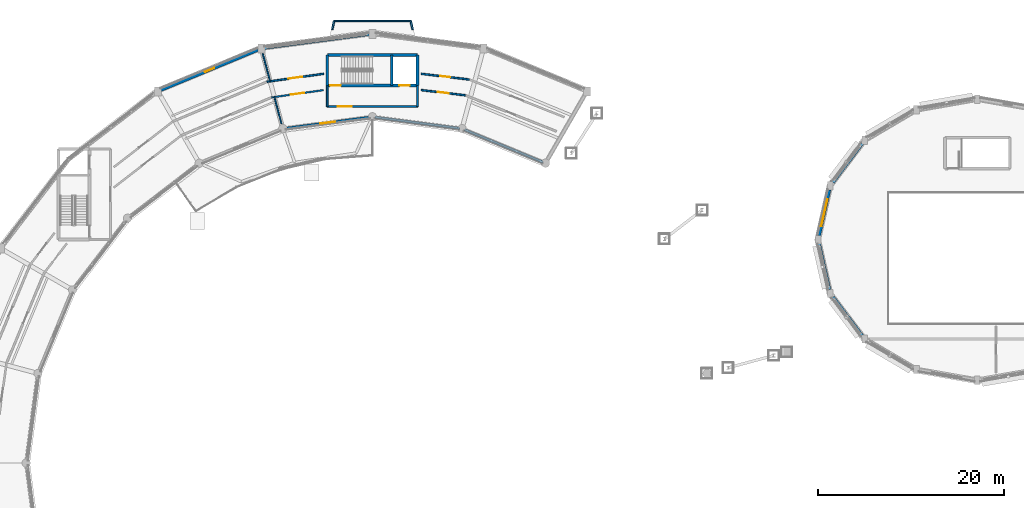
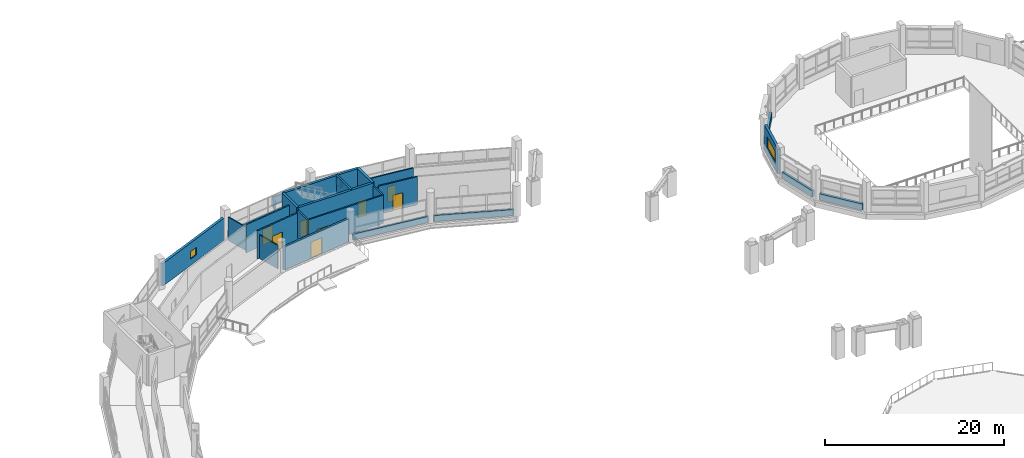
# One storey, part 112 of 128: 26 walls, 8 doors, 2 windows, 10 openings.
"""IFC4 building model written with IfcOpenShell, lengths in metres."""

from ifc_helpers import new_model, si_unit, direction, frame, frame_2d, origin, place, context, subcontext, project, spatial, rectangle, extrude, material, layer, layer_set, type_object, element, fill, save


model = new_model("IFC4")

# Units and contexts
model_context = context("Model", 3, precision=1e-05, world=origin(), true_north=direction((0.0, 1.0)))
body_context = subcontext(model_context, "Body", "Model", "MODEL_VIEW")
ifc_project = project(units=[si_unit("LENGTHUNIT", "METRE"), si_unit("AREAUNIT", "SQUARE_METRE"), si_unit("VOLUMEUNIT", "CUBIC_METRE"), si_unit("PLANEANGLEUNIT", "RADIAN"), si_unit("MASSUNIT", "GRAM", prefix="KILO")], contexts=[model_context])

# Site, building, storey
site_placement = place(None, origin())
site = spatial("IfcSite", under=ifc_project, at=site_placement, CompositionType="ELEMENT")
building_placement = place(site_placement, origin())
building = spatial("IfcBuilding", under=site, at=building_placement, Name="Vespera Passage Community Centre", CompositionType="ELEMENT")
storey_placement = place(building_placement, frame((0.0, 0.0, 4.5)))
storey = spatial("IfcBuildingStorey", under=building, at=storey_placement, Name="L01", CompositionType="ELEMENT", Elevation=4.5)

# Wall, openings, doors
ifc_material_1 = material(Name="Concrete f'c 45 MPa", Category="concrete")
ifc_layer_1 = layer(ifc_material_1, 0.300048828125)
ifc_layer_set_1 = layer_set([ifc_layer_1], Name="Concrete f'c 45 MPa")
wall_type_1 = type_object("IfcWallType", Name="WT-CORE-300I", PredefinedType="SHEAR", material=ifc_layer_set_1)
wall_1_placement = place(storey_placement, frame((82.844970703125, 106.050048828125, 0.0), z_axis=(0.0, 0.0, 1.0), x_axis=(-1.0, 0.0, 0.0)))
wall_1 = element("IfcWall", 1, at=wall_1_placement, inside=storey, type_object=wall_type_1, Name="Core C4 L01 Shear Wall FRONT", PredefinedType="SHEAR", context=body_context, shape_type="SweptSolid", body=[
    extrude(rectangle(XDim=9.68994140625, YDim=0.300048828125, at=frame_2d((4.844970703125, 0.0))), origin(), (0.0, 0.0, 1.0), 4.199951171875),
])
opening_1_placement = place(wall_1_placement, frame((8.2451171875, 0.0, 0.0)))
opening_1 = element("IfcOpeningElement", 2, at=opening_1_placement, cuts=wall_1, Name="Opening DT-STAIR-90", PredefinedType="OPENING", context=body_context, shape_type="SweptSolid", body=[
    extrude(rectangle(XDim=1.14990234375, YDim=2.14990234375, at=frame_2d((0.574951171875, 1.074951171875))), frame((0.0, 0.159912109375, 0.0), z_axis=(0.0, -1.0, 0.0), x_axis=(1.0, 0.0, 0.0)), (0.0, 0.0, 1.0), 0.320068359375),
])
opening_2_placement = place(wall_1_placement, frame((0.85009765625, 0.0, 0.0)))
opening_2 = element("IfcOpeningElement", 3, at=opening_2_placement, cuts=wall_1, Name="Opening DT-LIFT-110", PredefinedType="OPENING", context=body_context, shape_type="SweptSolid", body=[
    extrude(rectangle(XDim=1.10009765625, YDim=2.14990234375, at=frame_2d((0.550048828125, 1.074951171875))), frame((0.0, 0.159912109375, 0.0), z_axis=(0.0, -1.0, 0.0), x_axis=(1.0, 0.0, 0.0)), (0.0, 0.0, 1.0), 0.320068359375),
])
ifc_material_2 = material(Name="Painted hollow-metal acoustic door", Category="steel")
door_type_1 = type_object("IfcDoorType", Name="DT-LIFT-110", OperationType="NOTDEFINED", PredefinedType="DOOR", material=ifc_material_2)
door_1_placement = place(opening_2_placement, origin())
door_1 = element("IfcDoor", 4, at=door_1_placement, inside=storey, type_object=door_type_1, Name="Elevator EL-02 L01 Landing Door LD-018", OperationType="SLIDING_TO_LEFT", OverallHeight=2.14990234375, OverallWidth=1.10009765625, PredefinedType="DOOR", context=body_context, shape_type="SweptSolid", body=[
    extrude(rectangle(XDim=1.10009765625, YDim=2.14990234375, at=frame_2d((0.550048828125, 1.074951171875))), frame((0.0, 0.02490234375, 0.0), z_axis=(0.0, -1.0, 0.0), x_axis=(1.0, 0.0, 0.0)), (0.0, 0.0, 1.0), 0.050048828125),
])
fill(opening_2, door_1)
ifc_material_3 = material(Name="Painted hollow-metal acoustic door", Category="steel")
door_type_2 = type_object("IfcDoorType", Name="DT-STAIR-90", OperationType="NOTDEFINED", PredefinedType="DOOR", material=ifc_material_3)
door_2_placement = place(opening_1_placement, origin())
door_2 = element("IfcDoor", 5, at=door_2_placement, inside=storey, type_object=door_type_2, Name="Core C4 L01 Exit Stair Door D-090", OperationType="SINGLE_SWING_RIGHT", OverallHeight=2.14990234375, OverallWidth=1.14990234375, PredefinedType="DOOR", context=body_context, shape_type="SweptSolid", body=[
    extrude(rectangle(XDim=1.14990234375, YDim=2.14990234375, at=frame_2d((0.574951171875, 1.074951171875))), frame((0.0, 0.02490234375, 0.0), z_axis=(0.0, -1.0, 0.0), x_axis=(1.0, 0.0, 0.0)), (0.0, 0.0, 1.0), 0.050048828125),
])
fill(opening_1, door_2)

# Walls
wall_2_placement = place(storey_placement, frame((73.155029296875, 106.050048828125, 0.0), z_axis=(0.0, 0.0, 1.0), x_axis=(0.0, 1.0, 0.0)))
element("IfcWall", 6, at=wall_2_placement, inside=storey, type_object=wall_type_1, Name="Core C4 L01 Shear Wall LEFT", PredefinedType="SHEAR", context=body_context, shape_type="SweptSolid", body=[
    extrude(rectangle(XDim=3.300048828125, YDim=0.300048828125, at=frame_2d((1.64990234375, 0.0))), origin(), (0.0, 0.0, 1.0), 4.199951171875),
])
wall_3_placement = place(storey_placement, frame((73.155029296875, 109.35009765625, 0.0), z_axis=(0.0, 0.0, 1.0), x_axis=(1.0, 0.0, 0.0)))
element("IfcWall", 7, at=wall_3_placement, inside=storey, type_object=wall_type_1, Name="Core C4 L01 Shear Wall BACK", PredefinedType="SHEAR", context=body_context, shape_type="SweptSolid", body=[
    extrude(rectangle(XDim=9.68994140625, YDim=0.300048828125, at=frame_2d((4.844970703125, 0.0))), origin(), (0.0, 0.0, 1.0), 4.199951171875),
])
wall_4_placement = place(storey_placement, frame((82.844970703125, 109.35009765625, 0.0), z_axis=(0.0, 0.0, 1.0), x_axis=(0.0, -1.0, 0.0)))
element("IfcWall", 8, at=wall_4_placement, inside=storey, type_object=wall_type_1, Name="Core C4 L01 Shear Wall RIGHT", PredefinedType="SHEAR", context=body_context, shape_type="SweptSolid", body=[
    extrude(rectangle(XDim=3.300048828125, YDim=0.300048828125, at=frame_2d((1.64990234375, 0.0))), origin(), (0.0, 0.0, 1.0), 4.199951171875),
])

# Wall, opening, door
ifc_material_4 = material(Name="Gypsum board acoustic stud partition")
ifc_layer_2 = layer(ifc_material_4, 0.179931640625)
ifc_layer_set_2 = layer_set([ifc_layer_2], Name="Gypsum board acoustic stud partition")
wall_type_2 = type_object("IfcWallType", Name="WT-CORR-180I", PredefinedType="PARTITIONING", material=ifc_layer_set_2)
wall_5_placement = place(storey_placement, frame((73.155029296875, 103.800048828125, 0.0), z_axis=(0.0, 0.0, 1.0), x_axis=(1.0, 0.0, 0.0)))
wall_5 = element("IfcWall", 9, at=wall_5_placement, inside=storey, type_object=wall_type_2, Name="Core C4 L01 Lift Lobby Front Wall", PredefinedType="PARTITIONING", context=body_context, shape_type="SweptSolid", body=[
    extrude(rectangle(XDim=9.68994140625, YDim=0.179931640625, at=frame_2d((4.844970703125, 0.0))), origin(), (0.0, 0.0, 1.0), 3.85498046875),
])
opening_3_placement = place(wall_5_placement, frame((1.10009765625, 0.0, 0.0)))
opening_3 = element("IfcOpeningElement", 10, at=opening_3_placement, cuts=wall_5, Name="Opening DT-CORR-150", PredefinedType="OPENING", context=body_context, shape_type="SweptSolid", body=[
    extrude(rectangle(XDim=1.5, YDim=2.14990234375, at=frame_2d((0.75, 1.074951171875))), frame((0.0, 0.099853515625, 0.0), z_axis=(0.0, -1.0, 0.0), x_axis=(1.0, 0.0, 0.0)), (0.0, 0.0, 1.0), 0.199951171875),
])
ifc_material_5 = material(Name="Painted hollow-metal acoustic door", Category="steel")
door_type_3 = type_object("IfcDoorType", Name="DT-CORR-150", OperationType="NOTDEFINED", PredefinedType="DOOR", material=ifc_material_5)
door_3_placement = place(opening_3_placement, origin())
door_3 = element("IfcDoor", 11, at=door_3_placement, inside=storey, type_object=door_type_3, Name="Core C4 L01 Lift Lobby Door D-091", OperationType="SINGLE_SWING_LEFT", OverallHeight=2.14990234375, OverallWidth=1.5, PredefinedType="DOOR", context=body_context, shape_type="SweptSolid", body=[
    extrude(rectangle(XDim=1.5, YDim=2.14990234375, at=frame_2d((0.75, 1.074951171875))), frame((0.0, 0.02490234375, 0.0), z_axis=(0.0, -1.0, 0.0), x_axis=(1.0, 0.0, 0.0)), (0.0, 0.0, 1.0), 0.050048828125),
])
fill(opening_3, door_3)

# Walls
for number, where, z_axis, x_axis, name in (
    (12, (73.155029296875, 106.050048828125, 0.0), (0.0, 0.0, 1.0), (0.0, -1.0, 0.0), "Core C4 L01 Lift Lobby Side Wall L"),
    (13, (82.844970703125, 106.050048828125, 0.0), (0.0, 0.0, 1.0), (0.0, -1.0, 0.0), "Core C4 L01 Lift Lobby Side Wall R"),
):
    element("IfcWall", number, at=place(storey_placement, frame(where, z_axis=z_axis, x_axis=x_axis)), inside=storey, type_object=wall_type_2, Name=name, PredefinedType="PARTITIONING", context=body_context, shape_type="SweptSolid", body=[
        extrude(rectangle(XDim=2.25, YDim=0.179931640625, at=frame_2d((1.125, 0.0))), origin(), (0.0, 0.0, 1.0), 3.85498046875),
    ])

# Wall, opening, door
wall_6_placement = place(storey_placement, frame((88.41259765625, 106.70458984375, 0.0), z_axis=(0.0, 0.0, 1.0), x_axis=(-0.993019970185, 0.117946338706, 0.0)))
wall_6 = element("IfcWall", 14, at=wall_6_placement, inside=storey, type_object=wall_type_2, Name="L01 Interior Partition V4-L01-CO02.1", PredefinedType="PARTITIONING", context=body_context, shape_type="SweptSolid", body=[
    extrude(rectangle(XDim=5.203857421875, YDim=0.179931640625, at=frame_2d((2.60205078125, 0.0))), origin(), (0.0, 0.0, 1.0), 3.85498046875),
])
opening_4_placement = place(wall_6_placement, frame((2.076904296875, 0.0, 0.0)))
opening_4 = element("IfcOpeningElement", 15, at=opening_4_placement, cuts=wall_6, Name="Opening DT-CORR-105", PredefinedType="OPENING", context=body_context, shape_type="SweptSolid", body=[
    extrude(rectangle(XDim=1.050048828125, YDim=2.10009765625, at=frame_2d((0.52490234375, 1.050048828125))), frame((0.0, 0.099853515625, 0.0), z_axis=(0.0, -1.0, 0.0), x_axis=(1.0, 0.0, 0.0)), (0.0, 0.0, 1.0), 0.199951171875),
])
ifc_material_6 = material(Name="Painted hollow-metal acoustic door", Category="steel")
door_type_4 = type_object("IfcDoorType", Name="DT-CORR-105", OperationType="NOTDEFINED", PredefinedType="DOOR", material=ifc_material_6)
door_4_placement = place(opening_4_placement, origin())
door_4 = element("IfcDoor", 16, at=door_4_placement, inside=storey, type_object=door_type_4, Name="L01 Interior Door D-164", OperationType="SINGLE_SWING_RIGHT", OverallHeight=2.10009765625, OverallWidth=1.050048828125, PredefinedType="DOOR", context=body_context, shape_type="SweptSolid", body=[
    extrude(rectangle(XDim=1.050048828125, YDim=2.10009765625, at=frame_2d((0.52490234375, 1.050048828125))), frame((0.0, 0.02490234375, 0.0), z_axis=(0.0, -1.0, 0.0), x_axis=(1.0, 0.0, 0.0)), (0.0, 0.0, 1.0), 0.050048828125),
])
fill(opening_4, door_4)

wall_7_placement = place(storey_placement, frame((87.983642578125, 105.008056640625, 0.0), z_axis=(0.0, 0.0, 1.0), x_axis=(-0.993021837472, 0.117930616486, 0.0)))
wall_7 = element("IfcWall", 17, at=wall_7_placement, inside=storey, type_object=wall_type_2, Name="L01 Interior Partition V4-L01-CI02.1", PredefinedType="PARTITIONING", context=body_context, shape_type="SweptSolid", body=[
    extrude(rectangle(XDim=4.771728515625, YDim=0.179931640625, at=frame_2d((2.3857421875, 0.0))), origin(), (0.0, 0.0, 1.0), 3.85498046875),
])
opening_5_placement = place(wall_7_placement, frame((1.785888671875, 0.0, 0.0)))
opening_5 = element("IfcOpeningElement", 18, at=opening_5_placement, cuts=wall_7, Name="Opening DT-CORR-120", PredefinedType="OPENING", context=body_context, shape_type="SweptSolid", body=[
    extrude(rectangle(XDim=1.199951171875, YDim=2.14990234375, at=frame_2d((0.60009765625, 1.074951171875))), frame((0.0, 0.099853515625, 0.0), z_axis=(0.0, -1.0, 0.0), x_axis=(1.0, 0.0, 0.0)), (0.0, 0.0, 1.0), 0.199951171875),
])
ifc_material_7 = material(Name="Painted hollow-metal acoustic door", Category="steel")
door_type_5 = type_object("IfcDoorType", Name="DT-CORR-120", OperationType="NOTDEFINED", PredefinedType="DOOR", material=ifc_material_7)
door_5_placement = place(opening_5_placement, origin())
door_5 = element("IfcDoor", 19, at=door_5_placement, inside=storey, type_object=door_type_5, Name="L01 Interior Door D-165", OperationType="SINGLE_SWING_LEFT", OverallHeight=2.14990234375, OverallWidth=1.199951171875, PredefinedType="DOOR", context=body_context, shape_type="SweptSolid", body=[
    extrude(rectangle(XDim=1.199951171875, YDim=2.14990234375, at=frame_2d((0.60009765625, 1.074951171875))), frame((0.0, 0.02490234375, 0.0), z_axis=(0.0, -1.0, 0.0), x_axis=(1.0, 0.0, 0.0)), (0.0, 0.0, 1.0), 0.050048828125),
])
fill(opening_5, door_5)

wall_8_placement = place(storey_placement, frame((72.7548828125, 107.32275390625, 0.0), z_axis=(0.0, 0.0, 1.0), x_axis=(-0.990158330555, -0.139951707499, 0.0)))
wall_8 = element("IfcWall", 20, at=wall_8_placement, inside=storey, type_object=wall_type_2, Name="L01 Interior Partition V4-L01-CO03.1", PredefinedType="PARTITIONING", context=body_context, shape_type="SweptSolid", body=[
    extrude(rectangle(XDim=6.140625, YDim=0.179931640625, at=frame_2d((3.0703125, 0.0))), origin(), (0.0, 0.0, 1.0), 3.85498046875),
])
opening_6_placement = place(wall_8_placement, frame((2.3203125, 0.0, 0.0)))
opening_6 = element("IfcOpeningElement", 21, at=opening_6_placement, cuts=wall_8, Name="Opening DT-CORR-150", PredefinedType="OPENING", context=body_context, shape_type="SweptSolid", body=[
    extrude(rectangle(XDim=1.5, YDim=2.14990234375, at=frame_2d((0.75, 1.074951171875))), frame((0.0, 0.099853515625, 0.0), z_axis=(0.0, -1.0, 0.0), x_axis=(1.0, 0.0, 0.0)), (0.0, 0.0, 1.0), 0.199951171875),
])
door_6_placement = place(opening_6_placement, origin())
door_6 = element("IfcDoor", 22, at=door_6_placement, inside=storey, type_object=door_type_3, Name="L01 Interior Door D-166", OperationType="SINGLE_SWING_RIGHT", OverallHeight=2.14990234375, OverallWidth=1.5, PredefinedType="DOOR", context=body_context, shape_type="SweptSolid", body=[
    extrude(rectangle(XDim=1.5, YDim=2.14990234375, at=frame_2d((0.75, 1.074951171875))), frame((0.0, 0.02490234375, 0.0), z_axis=(0.0, -1.0, 0.0), x_axis=(1.0, 0.0, 0.0)), (0.0, 0.0, 1.0), 0.050048828125),
])
fill(opening_6, door_6)

wall_9_placement = place(storey_placement, frame((72.7548828125, 105.570068359375, 0.0), z_axis=(0.0, 0.0, 1.0), x_axis=(-0.990158541411, -0.13995021569, 0.0)))
wall_9 = element("IfcWall", 23, at=wall_9_placement, inside=storey, type_object=wall_type_2, Name="L01 Interior Partition V4-L01-CI03.1", PredefinedType="PARTITIONING", context=body_context, shape_type="SweptSolid", body=[
    extrude(rectangle(XDim=5.669677734375, YDim=0.179931640625, at=frame_2d((2.8349609375, 0.0))), origin(), (0.0, 0.0, 1.0), 3.85498046875),
])
opening_7_placement = place(wall_9_placement, frame((2.10986328125, 0.0, 0.0)))
opening_7 = element("IfcOpeningElement", 24, at=opening_7_placement, cuts=wall_9, Name="Opening DT-PLANT-145", PredefinedType="OPENING", context=body_context, shape_type="SweptSolid", body=[
    extrude(rectangle(XDim=1.449951171875, YDim=2.199951171875, at=frame_2d((0.72509765625, 1.10009765625))), frame((0.0, 0.099853515625, 0.0), z_axis=(0.0, -1.0, 0.0), x_axis=(1.0, 0.0, 0.0)), (0.0, 0.0, 1.0), 0.199951171875),
])
ifc_material_8 = material(Name="Painted hollow-metal acoustic door", Category="steel")
door_type_6 = type_object("IfcDoorType", Name="DT-PLANT-145", OperationType="NOTDEFINED", PredefinedType="DOOR", material=ifc_material_8)
door_7_placement = place(opening_7_placement, origin())
door_7 = element("IfcDoor", 25, at=door_7_placement, inside=storey, type_object=door_type_6, Name="L01 Interior Door D-167", OperationType="SINGLE_SWING_LEFT", OverallHeight=2.199951171875, OverallWidth=1.449951171875, PredefinedType="DOOR", context=body_context, shape_type="SweptSolid", body=[
    extrude(rectangle(XDim=1.449951171875, YDim=2.199951171875, at=frame_2d((0.72509765625, 1.10009765625))), frame((0.0, 0.02490234375, 0.0), z_axis=(0.0, -1.0, 0.0), x_axis=(1.0, 0.0, 0.0)), (0.0, 0.0, 1.0), 0.050048828125),
])
fill(opening_7, door_7)

# Walls
ifc_material_9 = material(Name="Concrete f'c 45 MPa", Category="concrete")
ifc_layer_3 = layer(ifc_material_9, 0.239990234375)
ifc_layer_set_3 = layer_set([ifc_layer_3], Name="Concrete f'c 45 MPa")
wall_type_3 = type_object("IfcWallType", Name="WT-DIV-240I", PredefinedType="SHEAR", material=ifc_layer_set_3)
wall_10_placement = place(storey_placement, frame((80.074951171875, 106.050048828125, 0.0), z_axis=(0.0, 0.0, 1.0), x_axis=(0.0, 1.0, 0.0)))
element("IfcWall", 26, at=wall_10_placement, inside=storey, type_object=wall_type_3, Name="Core C4 L01 Hoistway Divider Wall", PredefinedType="SHEAR", context=body_context, shape_type="SweptSolid", body=[
    extrude(rectangle(XDim=3.300048828125, YDim=0.239990234375, at=frame_2d((1.64990234375, 0.0))), origin(), (0.0, 0.0, 1.0), 4.199951171875),
])
ifc_material_10 = material(Name="Precast concrete f'c 40 MPa", Category="concrete")
ifc_layer_4 = layer(ifc_material_10, 0.25)
ifc_layer_set_4 = layer_set([ifc_layer_4], Name="Precast concrete f'c 40 MPa")
wall_type_4 = type_object("IfcWallType", Name="WT-EXT-250E", PredefinedType="STANDARD", material=ifc_layer_set_4)
wall_11_placement = place(storey_placement, frame((96.322998046875, 97.830810546875, 0.0), z_axis=(0.0, 0.0, 1.0), x_axis=(-0.923880324771, 0.382681519675, 0.0)))
element("IfcWall", 27, at=wall_11_placement, inside=storey, type_object=wall_type_4, Name="V4 L01 Court Spandrel Wall I4", PredefinedType="STANDARD", context=body_context, shape_type="SweptSolid", body=[
    extrude(rectangle(XDim=9.111572265625, YDim=0.25, at=frame_2d((4.5556640625, 0.0))), origin(), (0.0, 0.0, 1.0), 0.820068359375),
])
wall_12_placement = place(storey_placement, frame((87.352783203125, 101.468505859375, 0.0), z_axis=(0.0, 0.0, 1.0), x_axis=(-0.991441766434, 0.130549698469, 0.0)))
element("IfcWall", 28, at=wall_12_placement, inside=storey, type_object=wall_type_4, Name="V4 L01 Court Spandrel Wall I5", PredefinedType="STANDARD", context=body_context, shape_type="SweptSolid", body=[
    extrude(rectangle(XDim=9.156005859375, YDim=0.25, at=frame_2d((4.578125, 0.0))), origin(), (0.0, 0.0, 1.0), 0.820068359375),
])

# Wall, opening, door
wall_13_placement = place(storey_placement, frame((77.724853515625, 102.663818359375, 0.0), z_axis=(0.0, 0.0, 1.0), x_axis=(-0.991441766434, -0.130549698469, 0.0)))
wall_13 = element("IfcWall", 29, at=wall_13_placement, inside=storey, type_object=wall_type_4, Name="V4 L01 Inner Court Precast Wall 6", PredefinedType="STANDARD", context=body_context, shape_type="SweptSolid", body=[
    extrude(rectangle(XDim=9.156005859375, YDim=0.25, at=frame_2d((4.578125, 0.0))), origin(), (0.0, 0.0, 1.0), 3.1494140625),
])
opening_8_placement = place(wall_13_placement, frame((3.778076171875, 0.0, 0.0)))
opening_8 = element("IfcOpeningElement", 30, at=opening_8_placement, cuts=wall_13, Name="Opening DT-E04", PredefinedType="OPENING", context=body_context, shape_type="SweptSolid", body=[
    extrude(rectangle(XDim=1.60009765625, YDim=2.199951171875, at=frame_2d((0.800048828125, 1.10009765625))), frame((0.0, 0.135009765625, 0.0), z_axis=(0.0, -1.0, 0.0), x_axis=(1.0, 0.0, 0.0)), (0.0, 0.0, 1.0), 0.27001953125),
])
ifc_material_11 = material(Name="Anodized aluminium 6063-T6", Category="aluminium")
door_type_7 = type_object("IfcDoorType", Name="DT-E04", OperationType="NOTDEFINED", PredefinedType="DOOR", material=ifc_material_11)
door_8_placement = place(opening_8_placement, origin())
door_8 = element("IfcDoor", 31, at=door_8_placement, inside=storey, type_object=door_type_7, Name="Courtyard Gallery Terrace Access Door 6", OperationType="SINGLE_SWING_LEFT", OverallHeight=2.199951171875, OverallWidth=1.60009765625, PredefinedType="DOOR", context=body_context, shape_type="SweptSolid", body=[
    extrude(rectangle(XDim=1.60009765625, YDim=2.199951171875, at=frame_2d((0.800048828125, 1.10009765625))), frame((0.0, 0.02490234375, 0.0), z_axis=(0.0, -1.0, 0.0), x_axis=(1.0, 0.0, 0.0)), (0.0, 0.0, 1.0), 0.050048828125),
])
fill(opening_8, door_8)

# Wall
ifc_material_12 = material(Name="Precast concrete f'c 40 MPa", Category="concrete")
ifc_layer_5 = layer(ifc_material_12, 0.280029296875)
ifc_layer_set_5 = layer_set([ifc_layer_5], Name="Precast concrete f'c 40 MPa")
wall_type_5 = type_object("IfcWallType", Name="WT-EXT-280E", PredefinedType="STANDARD", material=ifc_layer_set_5)
wall_14_placement = place(storey_placement, frame((66.418701171875, 110.0751953125, 0.0), z_axis=(0.0, 0.0, 1.0), x_axis=(0.991443215359, 0.130538694334, 0.0)))
element("IfcWall", 32, at=wall_14_placement, inside=storey, type_object=wall_type_5, Name="V4 L01 Spandrel Wall O6", PredefinedType="STANDARD", context=body_context, shape_type="SweptSolid", body=[
    extrude(rectangle(XDim=11.328125, YDim=0.280029296875, at=frame_2d((5.6640625, 0.0))), origin(), (0.0, 0.0, 1.0), 0.820068359375),
])

# Wall, opening, window
ifc_material_13 = material(Name="Precast concrete f'c 40 MPa", Category="concrete")
ifc_layer_6 = layer(ifc_material_13, 0.320068359375)
ifc_layer_set_6 = layer_set([ifc_layer_6], Name="Precast concrete f'c 40 MPa")
wall_type_6 = type_object("IfcWallType", Name="WT-EXT-320E", PredefinedType="STANDARD", material=ifc_layer_set_6)
wall_15_placement = place(storey_placement, frame((55.302001953125, 105.569580078125, 0.0), z_axis=(0.0, 0.0, 1.0), x_axis=(0.923883530636, 0.382673779896, 0.0)))
wall_15 = element("IfcWall", 33, at=wall_15_placement, inside=storey, type_object=wall_type_6, Name="V4 L01 Outer Precast Wall 7", PredefinedType="STANDARD", context=body_context, shape_type="SweptSolid", body=[
    extrude(rectangle(XDim=11.2724609375, YDim=0.320068359375, at=frame_2d((5.63623046875, 0.0))), origin(), (0.0, 0.0, 1.0), 3.065673828125),
])
opening_9_placement = place(wall_15_placement, frame((5.111328125, 0.0, 0.85009765625)))
opening_9 = element("IfcOpeningElement", 34, at=opening_9_placement, cuts=wall_15, Name="Opening WN-02E", PredefinedType="OPENING", context=body_context, shape_type="SweptSolid", body=[
    extrude(rectangle(XDim=1.050048828125, YDim=1.050048828125, at=frame_2d((0.52490234375, 0.52490234375))), frame((0.0, 0.170166015625, 0.0), z_axis=(0.0, -1.0, 0.0), x_axis=(1.0, 0.0, 0.0)), (0.0, 0.0, 1.0), 0.340087890625),
])
ifc_material_14 = material(Name="Low-E insulated vision glass", Category="glass")
window_type_1 = type_object("IfcWindowType", Name="WN-02E", PartitioningType="SINGLE_PANEL", PredefinedType="WINDOW", material=ifc_material_14)
window_1_placement = place(opening_9_placement, origin())
window_1 = element("IfcWindow", 35, at=window_1_placement, inside=storey, type_object=window_type_1, Name="Window WN-V4-L01-O07", OverallHeight=1.050048828125, OverallWidth=1.050048828125, PartitioningType="SINGLE_PANEL", PredefinedType="WINDOW", context=body_context, shape_type="SweptSolid", body=[
    extrude(rectangle(XDim=1.050048828125, YDim=1.050048828125, at=frame_2d((0.52490234375, 0.52490234375))), frame((0.0, 0.030029296875, 0.0), z_axis=(0.0, -1.0, 0.0), x_axis=(1.0, 0.0, 0.0)), (0.0, 0.0, 1.0), 0.06005859375),
])
fill(opening_9, window_1)

# Wall
wall_16_placement = place(storey_placement, frame((127.486572265625, 95.655029296875, 0.0), z_axis=(0.0, 0.0, 1.0), x_axis=(0.603398282319, 0.797439974477, 0.0)))
element("IfcWall", 36, at=wall_16_placement, inside=storey, type_object=wall_type_6, Name="V2 L01 Spandrel 7", PredefinedType="STANDARD", context=body_context, shape_type="SweptSolid", body=[
    extrude(rectangle(XDim=5.19873046875, YDim=0.320068359375, at=frame_2d((2.599365234375, 0.0))), origin(), (0.0, 0.0, 1.0), 0.85009765625),
])

# Wall, opening, window
wall_17_placement = place(storey_placement, frame((125.995849609375, 89.925537109375, 0.0), z_axis=(0.0, 0.0, 1.0), x_axis=(0.219744533343, 0.97555745093, 0.0)))
wall_17 = element("IfcWall", 37, at=wall_17_placement, inside=storey, type_object=wall_type_6, Name="V2 L01 Facade Wall 8", PredefinedType="STANDARD", context=body_context, shape_type="SweptSolid", body=[
    extrude(rectangle(XDim=5.05078125, YDim=0.320068359375, at=frame_2d((2.525390625, 0.0))), origin(), (0.0, 0.0, 1.0), 3.385009765625),
])
opening_10_placement = place(wall_17_placement, frame((1.025390625, 0.0, 0.89990234375)))
opening_10 = element("IfcOpeningElement", 38, at=opening_10_placement, cuts=wall_17, Name="Opening WN-17E", PredefinedType="OPENING", context=body_context, shape_type="SweptSolid", body=[
    extrude(rectangle(XDim=3.0, YDim=1.550048828125, at=frame_2d((1.5, 0.77490234375))), frame((0.0, 0.170166015625, 0.0), z_axis=(0.0, -1.0, 0.0), x_axis=(1.0, 0.0, 0.0)), (0.0, 0.0, 1.0), 0.340087890625),
])
ifc_material_15 = material(Name="Low-E insulated vision glass", Category="glass")
window_type_2 = type_object("IfcWindowType", Name="WN-17E", PartitioningType="SINGLE_PANEL", PredefinedType="WINDOW", material=ifc_material_15)
window_2_placement = place(opening_10_placement, origin())
window_2 = element("IfcWindow", 39, at=window_2_placement, inside=storey, type_object=window_type_2, Name="Window WN-V2-L01-P08", OverallHeight=1.550048828125, OverallWidth=3.0, PartitioningType="SINGLE_PANEL", PredefinedType="WINDOW", context=body_context, shape_type="SweptSolid", body=[
    extrude(rectangle(XDim=3.0, YDim=1.550048828125, at=frame_2d((1.5, 0.77490234375))), frame((0.0, 0.030029296875, 0.0), z_axis=(0.0, -1.0, 0.0), x_axis=(1.0, 0.0, 0.0)), (0.0, 0.0, 1.0), 0.06005859375),
])
fill(opening_10, window_2)

# Walls
wall_18_placement = place(storey_placement, frame((127.105712890625, 84.147216796875, 0.0), z_axis=(0.0, 0.0, 1.0), x_axis=(-0.219744533343, 0.97555745093, 0.0)))
element("IfcWall", 40, at=wall_18_placement, inside=storey, type_object=wall_type_6, Name="V2 L01 Spandrel 9", PredefinedType="STANDARD", context=body_context, shape_type="SweptSolid", body=[
    extrude(rectangle(XDim=5.05078125, YDim=0.320068359375, at=frame_2d((2.525390625, 0.0))), origin(), (0.0, 0.0, 1.0), 0.85009765625),
])
wall_19_placement = place(storey_placement, frame((130.62353515625, 79.19921875, 0.0), z_axis=(0.0, 0.0, 1.0), x_axis=(-0.603398282319, 0.797439974477, 0.0)))
element("IfcWall", 41, at=wall_19_placement, inside=storey, type_object=wall_type_6, Name="V2 L01 Spandrel 10", PredefinedType="STANDARD", context=body_context, shape_type="SweptSolid", body=[
    extrude(rectangle(XDim=5.19873046875, YDim=0.320068359375, at=frame_2d((2.599365234375, 0.0))), origin(), (0.0, 0.0, 1.0), 0.85009765625),
])
ifc_material_16 = material(Name="Precast concrete f'c 40 MPa", Category="concrete")
ifc_layer_7 = layer(ifc_material_16, 0.199951171875)
ifc_layer_set_7 = layer_set([ifc_layer_7], Name="Precast concrete f'c 40 MPa")
wall_type_7 = type_object("IfcWallType", Name="WT-PAR-200E", PredefinedType="PARAPET", material=ifc_layer_set_7)
wall_20_placement = place(storey_placement, frame((73.679931640625, 112.06005859375, 0.0), z_axis=(0.0, 0.0, 1.0), x_axis=(0.208071444991, 0.9781136303, 0.0)))
element("IfcWall", 42, at=wall_20_placement, inside=storey, type_object=wall_type_7, Name="North Porch Canopy Parapet 1", PredefinedType="PARAPET", context=body_context, shape_type="SweptSolid", body=[
    extrude(rectangle(XDim=0.9609375, YDim=0.199951171875, at=frame_2d((0.48046875, 0.0))), origin(), (0.0, 0.0, 1.0), 1.1201171875),
])
wall_21_placement = place(storey_placement, frame((73.8798828125, 113.0, 0.0), z_axis=(0.0, 0.0, 1.0), x_axis=(1.0, 0.0, 0.0)))
element("IfcWall", 43, at=wall_21_placement, inside=storey, type_object=wall_type_7, Name="North Porch Canopy Parapet 2", PredefinedType="PARAPET", context=body_context, shape_type="SweptSolid", body=[
    extrude(rectangle(XDim=8.240234375, YDim=0.199951171875, at=frame_2d((4.1201171875, 0.0))), origin(), (0.0, 0.0, 1.0), 1.1201171875),
])
wall_22_placement = place(storey_placement, frame((82.1201171875, 113.0, 0.0), z_axis=(0.0, 0.0, 1.0), x_axis=(0.208071444991, -0.9781136303, 0.0)))
element("IfcWall", 44, at=wall_22_placement, inside=storey, type_object=wall_type_7, Name="North Porch Canopy Parapet 3", PredefinedType="PARAPET", context=body_context, shape_type="SweptSolid", body=[
    extrude(rectangle(XDim=0.9609375, YDim=0.199951171875, at=frame_2d((0.48046875, 0.0))), origin(), (0.0, 0.0, 1.0), 1.1201171875),
])
ifc_material_17 = material(Name="Gypsum board acoustic stud partition")
ifc_layer_8 = layer(ifc_material_17, 0.139892578125)
ifc_layer_set_8 = layer_set([ifc_layer_8], Name="Gypsum board acoustic stud partition")
wall_type_8 = type_object("IfcWallType", Name="WT-ROOM-140I", PredefinedType="PARTITIONING", material=ifc_layer_set_8)
wall_23_placement = place(storey_placement, frame((67.000244140625, 106.5517578125, 0.0), z_axis=(0.0, 0.0, 1.0), x_axis=(-0.258868119081, 0.96591267562, 0.0)))
element("IfcWall", 45, at=wall_23_placement, inside=storey, type_object=wall_type_8, Name="L01 Interior Partition V4-L01-RO11-1.1", PredefinedType="PARTITIONING", context=body_context, shape_type="SweptSolid", body=[
    extrude(rectangle(XDim=3.050048828125, YDim=0.139892578125, at=frame_2d((1.52490234375, 0.0))), origin(), (0.0, 0.0, 1.0), 3.216552734375),
])
wall_24_placement = place(storey_placement, frame((68.2294921875, 101.963623046875, 0.0), z_axis=(0.0, 0.0, 1.0), x_axis=(-0.258776761059, 0.965937155273, 0.0)))
element("IfcWall", 46, at=wall_24_placement, inside=storey, type_object=wall_type_8, Name="L01 Interior Partition V4-L01-RI11-1.1", PredefinedType="PARTITIONING", context=body_context, shape_type="SweptSolid", body=[
    extrude(rectangle(XDim=3.000244140625, YDim=0.139892578125, at=frame_2d((1.5, 0.0))), origin(), (0.0, 0.0, 1.0), 3.216552734375),
])

save(model, "model.ifc")
